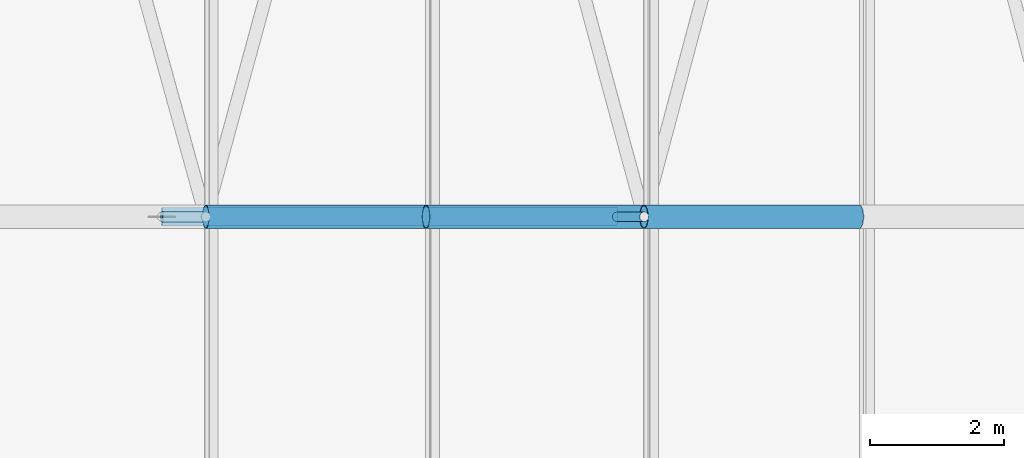
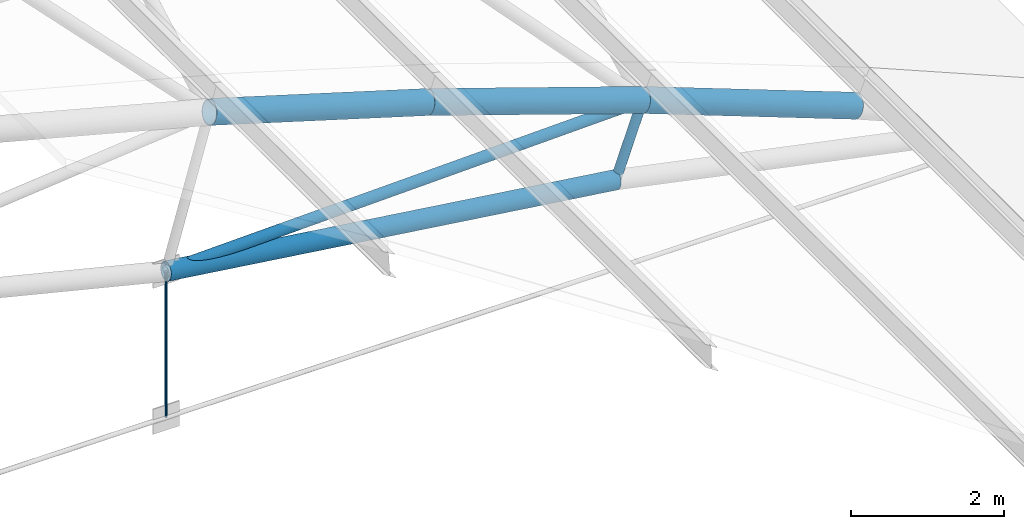
# One storey, part 196 of 321: 7 members.
"""IFC4 building model written with IfcOpenShell, lengths in metres."""

from ifc_helpers import new_model, si_unit, direction, frame, origin, origin_2d, place, context, subcontext, project, spatial, circle, hollow_circle, extrude, material, material_profile, profile_set, type_object, element, save


model = new_model("IFC4")

# Units and contexts
model_context = context("Model", 3, precision=1e-05, world=origin(), true_north=direction((0.0, 1.0)))
body_context = subcontext(model_context, "Body", "Model", "MODEL_VIEW")
ifc_project = project(units=[si_unit("LENGTHUNIT", "METRE"), si_unit("AREAUNIT", "SQUARE_METRE"), si_unit("VOLUMEUNIT", "CUBIC_METRE"), si_unit("PLANEANGLEUNIT", "RADIAN"), si_unit("MASSUNIT", "GRAM", prefix="KILO")], contexts=[model_context])

# Site, building, storey
site_placement = place(None, origin())
site = spatial("IfcSite", under=ifc_project, at=site_placement, CompositionType="ELEMENT")
building_placement = place(site_placement, origin())
building = spatial("IfcBuilding", under=site, at=building_placement, Name="Ravi Spectrum Wholesale Market", CompositionType="ELEMENT")
storey_placement = place(building_placement, frame((0.0, 0.0, 10.800048828125)))
storey = spatial("IfcBuildingStorey", under=building, at=storey_placement, Name="L02", CompositionType="ELEMENT", Elevation=10.800048828125)

# Members
ifc_material_1 = material(Name="Steel S355", Category="steel")
ifc_material_profile_1 = material_profile(ifc_material_1, hollow_circle(Radius=0.06982421875, WallThickness=0.0048828125, at=origin_2d()))
ifc_profile_set_1 = profile_set([ifc_material_profile_1], Name="Steel S355")
member_type_1 = type_object("IfcMemberType", Name="CHS 139.7x5 post", PredefinedType="POST", material=ifc_profile_set_1)
member_1_placement = place(storey_placement, frame((103.636962890625, 186.0, 2.56494140625), z_axis=(-0.338114270461, 0.0, -0.941105063269), x_axis=(0.0, -1.0, 0.0)))
element("IfcMember", 1, at=member_1_placement, inside=storey, type_object=member_type_1, Name="H1-MB-L02-1118", PredefinedType="POST", context=body_context, shape_type="SweptSolid", body=[
    extrude(hollow_circle(Radius=0.06982421875, WallThickness=0.0048828125, at=origin_2d()), origin(), (0.0, 0.0, 1.0), 1.199951171875),
])
ifc_material_2 = material(Name="Steel S355", Category="steel")
ifc_material_profile_2 = material_profile(ifc_material_2, hollow_circle(Radius=0.084228515625, WallThickness=0.00634765625, at=origin_2d()))
ifc_profile_set_2 = profile_set([ifc_material_profile_2], Name="Steel S355")
member_type_2 = type_object("IfcMemberType", Name="CHS 168.3x6.3 brace", PredefinedType="BRACE", material=ifc_profile_set_2)
member_2_placement = place(storey_placement, frame((103.636962890625, 186.0, 2.56494140625), z_axis=(-0.999561599338, 0.0, -0.029607585673), x_axis=(0.0, -1.0, 0.0)))
element("IfcMember", 2, at=member_2_placement, inside=storey, type_object=member_type_2, Name="H1-MB-L02-1128", PredefinedType="BRACE", context=body_context, shape_type="SweptSolid", body=[
    extrude(hollow_circle(Radius=0.084228515625, WallThickness=0.00634765625, at=origin_2d()), origin(), (0.0, 0.0, 1.0), 7.1904296875),
])
ifc_material_3 = material(Name="Steel S355", Category="steel")
ifc_material_profile_3 = material_profile(ifc_material_3, hollow_circle(Radius=0.136474609375, WallThickness=0.010009765625, at=origin_2d()))
ifc_profile_set_3 = profile_set([ifc_material_profile_3], Name="Steel S355")
member_type_3 = type_object("IfcMemberType", Name="CHS 273x10 chord", PredefinedType="CHORD", material=ifc_profile_set_3)
member_3_placement = place(storey_placement, frame((96.44970703125, 186.0, 2.35205078125), z_axis=(0.990990766788, 0.0, -0.133930206233), x_axis=(0.0, 1.0, 0.0)))
element("IfcMember", 3, at=member_3_placement, inside=storey, type_object=member_type_3, Name="H1-MB-L02-1106", PredefinedType="CHORD", context=body_context, shape_type="SweptSolid", body=[
    extrude(hollow_circle(Radius=0.136474609375, WallThickness=0.010009765625, at=origin_2d()), origin(), (0.0, 0.0, 1.0), 6.84326171875),
])
ifc_material_4 = material(Name="Steel S355", Category="steel")
ifc_material_profile_4 = material_profile(ifc_material_4, hollow_circle(Radius=0.177734375, WallThickness=0.012451171875, at=origin_2d()))
ifc_profile_set_4 = profile_set([ifc_material_profile_4], Name="Steel S355")
member_type_4 = type_object("IfcMemberType", Name="CHS 355.6x12.5 chord", PredefinedType="CHORD", material=ifc_profile_set_4)
for number, where, z_axis, x_axis, name in (
    (4, (97.103759765625, 186.0, 4.661376953125), (0.957299848506, 0.0, -0.289096869666), (0.0, 1.0, 0.0), "H1-MB-L02-1092"),
    (5, (100.388427734375, 186.0, 3.66943359375), (0.946773612235, 0.0, -0.321900182005), (0.0, 1.0, 0.0), "H1-MB-L02-1093"),
    (6, (103.636962890625, 186.0, 2.56494140625), (0.935113010382, 0.0, -0.354349626518), (0.0, 1.0, 0.0), "H1-MB-L02-1094"),
):
    element("IfcMember", number, at=place(storey_placement, frame(where, z_axis=z_axis, x_axis=x_axis)), inside=storey, type_object=member_type_4, Name=name, PredefinedType="CHORD", context=body_context, shape_type="SweptSolid", body=[
        extrude(hollow_circle(Radius=0.177734375, WallThickness=0.012451171875, at=origin_2d()), origin(), (0.0, 0.0, 1.0), 3.43115234375),
    ])
ifc_material_5 = material(Name="Steel S355", Category="steel")
ifc_material_profile_5 = material_profile(ifc_material_5, circle(Radius=0.01806640625, at=origin_2d()))
ifc_profile_set_5 = profile_set([ifc_material_profile_5], Name="Steel S355")
member_type_5 = type_object("IfcMemberType", Name="ROD 36 hanger", PredefinedType="STRUT", material=ifc_profile_set_5)
member_4_placement = place(storey_placement, frame((96.44970703125, 186.0, 0.023193359375), z_axis=(0.0, 0.0, 1.0), x_axis=(1.0, 0.0, 0.0)))
element("IfcMember", 7, at=member_4_placement, inside=storey, type_object=member_type_5, Name="H1-MB-L02-1134", PredefinedType="STRUT", context=body_context, shape_type="SweptSolid", body=[
    extrude(circle(Radius=0.01806640625, at=origin_2d()), origin(), (0.0, 0.0, 1.0), 2.328857421875),
])

save(model, "model.ifc")
